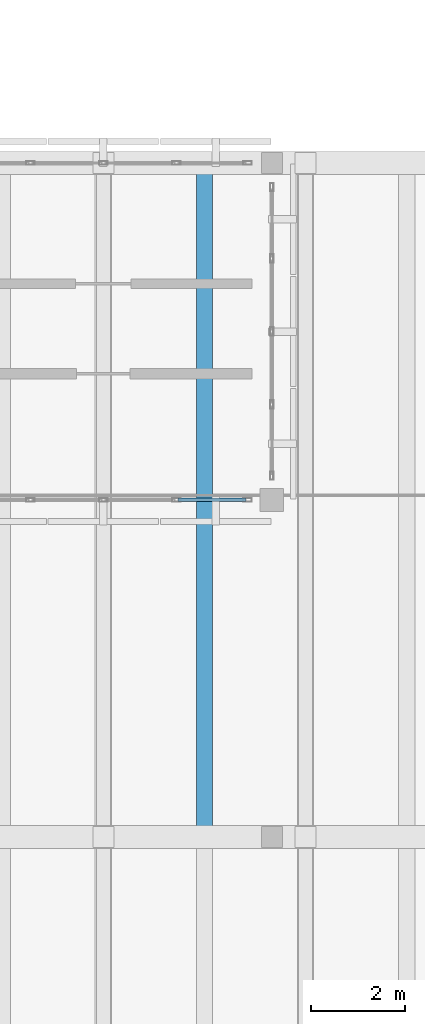
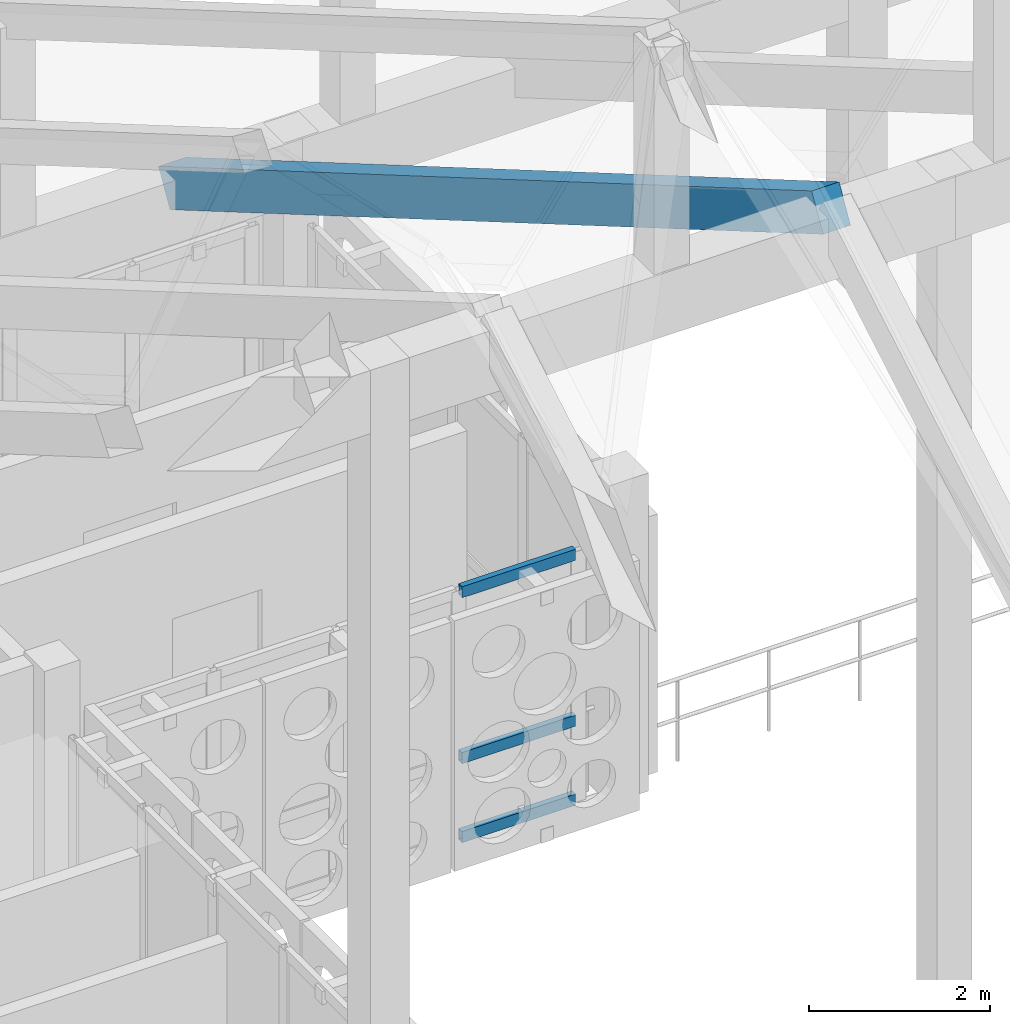
# One storey, part 30 of 171: 3 members, 1 beam, 1 element without a shape of its own.
"""IFC4 building model written with IfcOpenShell, lengths in metres."""

from ifc_helpers import new_model, si_unit, direction, frame, origin, origin_2d, place, context, subcontext, project, spatial, rectangle, hollow_rectangle, extrude, material, material_profile, profile_set, type_object, element, aggregate, save


model = new_model("IFC4")

# Units and contexts
model_context = context("Model", 3, precision=1e-05, world=origin(), true_north=direction((0.0, 1.0)))
body_context = subcontext(model_context, "Body", "Model", "MODEL_VIEW")
ifc_project = project(units=[si_unit("LENGTHUNIT", "METRE"), si_unit("AREAUNIT", "SQUARE_METRE"), si_unit("VOLUMEUNIT", "CUBIC_METRE"), si_unit("PLANEANGLEUNIT", "RADIAN"), si_unit("MASSUNIT", "GRAM", prefix="KILO")], contexts=[model_context])

# Site, building, storey
site_placement = place(None, origin())
site = spatial("IfcSite", under=ifc_project, at=site_placement, CompositionType="ELEMENT")
building_placement = place(site_placement, origin())
building = spatial("IfcBuilding", under=site, at=building_placement, Name="Aldebral Square Health Centre", CompositionType="ELEMENT")
storey_placement = place(building_placement, frame((0.0, 0.0, 4.5)))
storey = spatial("IfcBuildingStorey", under=building, at=storey_placement, Name="L01", CompositionType="ELEMENT", Elevation=4.5)

# Beam
ifc_material_1 = material(Name="Concrete C40/50", Category="concrete")
ifc_material_profile_1 = material_profile(ifc_material_1, rectangle(XDim=0.35009765625, YDim=0.5, at=origin_2d()), Name="RC 350x500")
ifc_profile_set_1 = profile_set([ifc_material_profile_1], Name="Concrete C40/50")
beam_type = type_object("IfcBeamType", Name="BM-SP1", PredefinedType="SPANDREL", material=ifc_profile_set_1)
beam_placement = place(storey_placement, frame((77.760009765625, 86.39990234375, 12.64990234375), z_axis=(0.0, 0.863783681228, -0.503862830584), x_axis=(-1.0, 0.0, 0.0)))
element("IfcBeam", 1, at=beam_placement, inside=storey, type_object=beam_type, Name="Folded-plate north valley beam 4", PredefinedType="SPANDREL", context=body_context, shape_type="SweptSolid", body=[
    extrude(rectangle(XDim=0.35009765625, YDim=0.5, at=origin_2d()), origin(), (0.0, 0.0, 1.0), 16.6708984375),
])

# Curtain wall, members
ifc_material_2 = material(Name="Aluminium and low-E solar glass", Category="aluminium")
curtain_wall_type = type_object("IfcCurtainWallType", Name="CW-HALL-SYS", PredefinedType="USERDEFINED", material=ifc_material_2)
curtain_wall_placement = place(storey_placement, origin())
curtain_wall = element("IfcCurtainWall", 2, at=curtain_wall_placement, inside=storey, type_object=curtain_wall_type, Name="L01 V1 hall curtain wall L01-V1-10-13-S", ObjectType="HALL_CURTAIN_WALL", PredefinedType="USERDEFINED")
ifc_material_3 = material(Name="Anodised aluminium transom", Category="aluminium")
ifc_material_profile_2 = material_profile(ifc_material_3, hollow_rectangle(XDim=0.074951171875, YDim=0.14990234375, WallThickness=0.00390625, at=origin_2d()), Name="CWT 75x150x4")
ifc_profile_set_2 = profile_set([ifc_material_profile_2], Name="Anodised aluminium transom")
member_type = type_object("IfcMemberType", Name="CWT-STD", PredefinedType="USERDEFINED", material=ifc_profile_set_2)
member_1_placement = place(storey_placement, frame((77.197509765625, 93.60009765625, 0.03759765625), z_axis=(1.0, 0.0, 0.0), x_axis=(0.0, 1.0, 0.0)))
member_1 = element("IfcMember", 3, at=member_1_placement, type_object=member_type, Name="CW2 transom 4.1", ObjectType="TRANSOM", PredefinedType="USERDEFINED", context=body_context, shape_type="SweptSolid", body=[
    extrude(hollow_rectangle(XDim=0.074951171875, YDim=0.14990234375, WallThickness=0.00390625, at=origin_2d()), origin(), (0.0, 0.0, 1.0), 1.447509765625),
])
member_2_placement = place(storey_placement, frame((77.197509765625, 93.60009765625, 1.10009765625), z_axis=(1.0, 0.0, 0.0), x_axis=(0.0, 1.0, 0.0)))
member_2 = element("IfcMember", 4, at=member_2_placement, type_object=member_type, Name="CW2 transom 4.2", ObjectType="TRANSOM", PredefinedType="USERDEFINED", context=body_context, shape_type="SweptSolid", body=[
    extrude(hollow_rectangle(XDim=0.074951171875, YDim=0.14990234375, WallThickness=0.00390625, at=origin_2d()), origin(), (0.0, 0.0, 1.0), 1.447509765625),
])
member_3_placement = place(storey_placement, frame((77.197509765625, 93.60009765625, 3.33251953125), z_axis=(1.0, 0.0, 0.0), x_axis=(0.0, 1.0, 0.0)))
member_3 = element("IfcMember", 5, at=member_3_placement, type_object=member_type, Name="CW2 transom 4.3", ObjectType="TRANSOM", PredefinedType="USERDEFINED", context=body_context, shape_type="SweptSolid", body=[
    extrude(hollow_rectangle(XDim=0.074951171875, YDim=0.14990234375, WallThickness=0.00390625, at=origin_2d()), origin(), (0.0, 0.0, 1.0), 1.447509765625),
])
aggregate(curtain_wall, [member_1, member_2, member_3])

save(model, "model.ifc")
